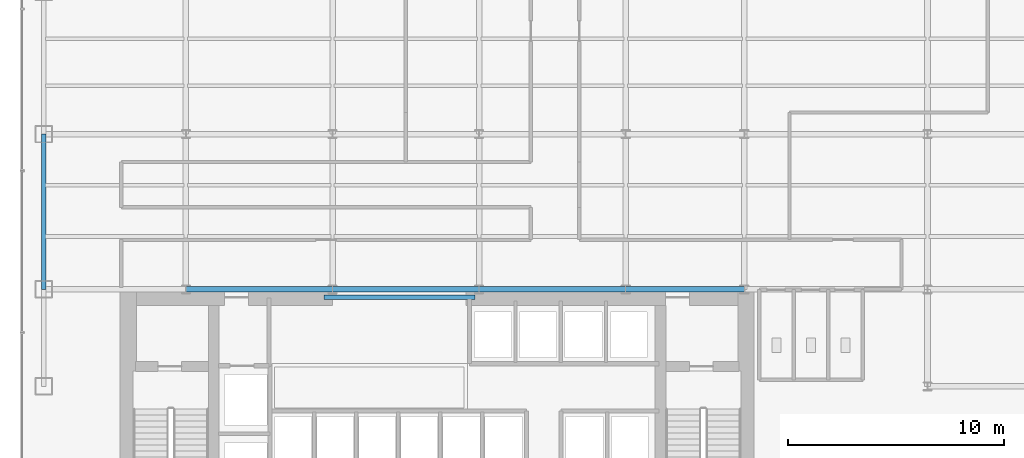
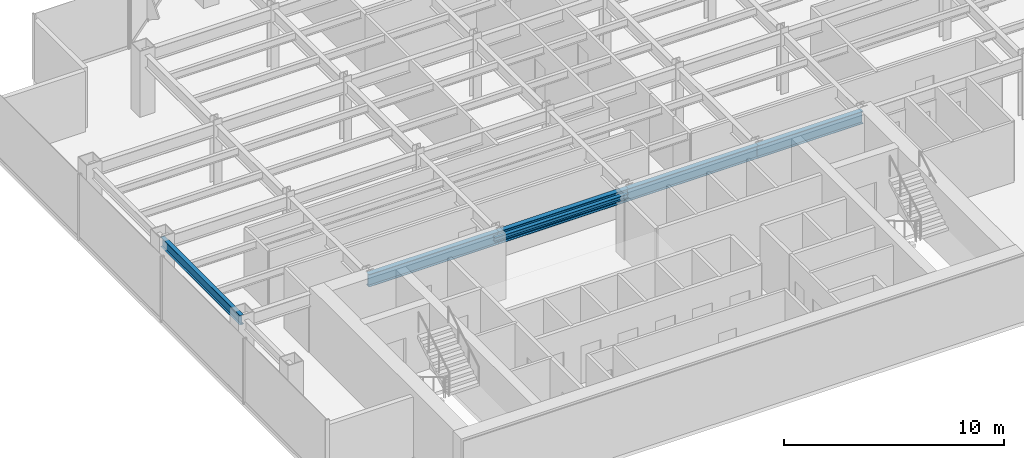
# One storey, part 3 of 26: 6 beams.
"""IFC4 building model written with IfcOpenShell, lengths in metres."""

from ifc_helpers import new_model, si_unit, derived_unit, direction, frame, origin, origin_2d, place, context, subcontext, project, spatial, i_section, extrude, source, transform, mapped, material, material_profile, profile_set, type_object, element, save


model = new_model("IFC4")

# Units and contexts
model_context = context("Model", 3, precision=1e-05, world=origin(), true_north=direction((0.0, 1.0)))
body_context = subcontext(model_context, "Body", "Model", "MODEL_VIEW")
ifc_project = project(units=[si_unit("LENGTHUNIT", "METRE"), si_unit("AREAUNIT", "SQUARE_METRE"), si_unit("VOLUMEUNIT", "CUBIC_METRE"), si_unit("PLANEANGLEUNIT", "RADIAN"), si_unit("MASSUNIT", "GRAM", prefix="KILO"), derived_unit("THERMALTRANSMITTANCEUNIT", [(si_unit("POWERUNIT", "WATT"), 1), (si_unit("LENGTHUNIT", "METRE"), -2), (si_unit("THERMODYNAMICTEMPERATUREUNIT", "KELVIN"), -1)])], contexts=[model_context])

# Site, building, storey
site_placement = place(None, origin())
site = spatial("IfcSite", under=ifc_project, at=site_placement, CompositionType="ELEMENT")
building_placement = place(site_placement, origin())
building = spatial("IfcBuilding", under=site, at=building_placement, Name="Skarnbrae Concourse Arena and Tower", CompositionType="ELEMENT")
storey_placement = place(building_placement, frame((0.0, 0.0, 132.449951171875)))
storey = spatial("IfcBuildingStorey", under=building, at=storey_placement, Name="L33", CompositionType="ELEMENT", Elevation=132.449951171875)

# Beams
ifc_material = material(Name="Steel CSA G40.21 350W", Category="steel")
ifc_material_profile_1 = material_profile(ifc_material, i_section(OverallWidth=0.202880859375, OverallDepth=0.251953125, WebThickness=0.008056640625, FlangeThickness=0.013427734375, at=origin_2d()), Name="W250X58")
ifc_profile_set_1 = profile_set([ifc_material_profile_1], Name="Steel CSA G40.21 350W")
beam_type_1 = type_object("IfcBeamType", Name="BM-LINTEL-W250X58", PredefinedType="LINTEL", material=ifc_profile_set_1)
shared_shape_1 = source(origin(), body_context, "Body", "SweptSolid", [
    extrude(i_section(OverallWidth=0.202880859375, OverallDepth=0.251953125, WebThickness=0.008056640625, FlangeThickness=0.013427734375, at=origin_2d()), origin(), (0.0, 0.0, 1.0), 7.0),
])
beam_1_placement = place(storey_placement, frame((14.0, 13.625, 3.22412109375), z_axis=(1.0, 0.0, 0.0), x_axis=(0.0, 1.0, 0.0)))
element("IfcBeam", 1, at=beam_1_placement, inside=storey, type_object=beam_type_1, Name="L33 Core portal coupling lintel", PredefinedType="LINTEL", context=body_context, shape_type="MappedRepresentation", body=[
    mapped(shared_shape_1, transform((0.0, 0.0, 0.0))),
])
ifc_material_profile_2 = material_profile(ifc_material, i_section(OverallWidth=0.256103515625, OverallDepth=0.693115234375, WebThickness=0.014404296875, FlangeThickness=0.023681640625, at=origin_2d()), Name="W690X170")
ifc_profile_set_2 = profile_set([ifc_material_profile_2], Name="Steel CSA G40.21 350W")
beam_type_2 = type_object("IfcBeamType", Name="BM-GIRD-W690X170", PredefinedType="BEAM", material=ifc_profile_set_2)
shared_shape_2 = source(origin(), body_context, "Body", "SweptSolid", [
    extrude(i_section(OverallWidth=0.256103515625, OverallDepth=0.693115234375, WebThickness=0.014404296875, FlangeThickness=0.023681640625, at=origin_2d()), origin(), (0.0, 0.0, 1.0), 6.7998046875),
])
beam_2_placement = place(storey_placement, frame((7.60009765625, 14.0, 3.003662109375), z_axis=(1.0, 0.0, 0.0), x_axis=(0.0, 1.0, 0.0)))
element("IfcBeam", 2, at=beam_2_placement, inside=storey, type_object=beam_type_2, Name="L33 Primary E-W girder Y14.0-2", PredefinedType="BEAM", context=body_context, shape_type="MappedRepresentation", body=[
    mapped(shared_shape_2, transform((0.0, 0.0, 0.0))),
])
shared_shape_3 = source(origin(), body_context, "Body", "SweptSolid", [
    extrude(i_section(OverallWidth=0.256103515625, OverallDepth=0.693115234375, WebThickness=0.014404296875, FlangeThickness=0.023681640625, at=origin_2d()), origin(), (0.0, 0.0, 1.0), 6.800048828125),
])
for number, where, z_axis, x_axis, name in (
    (3, (14.39990234375, 14.0, 3.003662109375), (1.0, 0.0, 0.0), (0.0, 1.0, 0.0), "L33 Primary E-W girder Y14.0-3"),
    (4, (21.199951171875, 14.0, 3.003662109375), (1.0, 0.0, 0.0), (0.0, 1.0, 0.0), "L33 Primary E-W girder Y14.0-4"),
):
    element("IfcBeam", number, at=place(storey_placement, frame(where, z_axis=z_axis, x_axis=x_axis)), inside=storey, type_object=beam_type_2, Name=name, PredefinedType="BEAM", context=body_context, shape_type="MappedRepresentation", body=[
        mapped(shared_shape_3, transform((0.0, 0.0, 0.0))),
    ])
shared_shape_4 = source(origin(), body_context, "Body", "SweptSolid", [
    extrude(i_section(OverallWidth=0.256103515625, OverallDepth=0.693115234375, WebThickness=0.014404296875, FlangeThickness=0.023681640625, at=origin_2d()), origin(), (0.0, 0.0, 1.0), 5.5),
])
beam_3_placement = place(storey_placement, frame((28.0, 14.0, 3.003662109375), z_axis=(1.0, 0.0, 0.0), x_axis=(0.0, 1.0, 0.0)))
element("IfcBeam", 5, at=beam_3_placement, inside=storey, type_object=beam_type_2, Name="L33 Primary E-W girder Y14.0-5", PredefinedType="BEAM", context=body_context, shape_type="MappedRepresentation", body=[
    mapped(shared_shape_4, transform((0.0, 0.0, 0.0))),
])
ifc_material_profile_3 = material_profile(ifc_material, i_section(OverallWidth=0.208984375, OverallDepth=0.532958984375, WebThickness=0.01025390625, FlangeThickness=0.015625, at=origin_2d()), Name="W530X92")
ifc_profile_set_3 = profile_set([ifc_material_profile_3], Name="Steel CSA G40.21 350W")
beam_type_3 = type_object("IfcBeamType", Name="BM-SPAN-W530X92", PredefinedType="SPANDREL", material=ifc_profile_set_3)
shared_shape_5 = source(origin(), body_context, "Body", "SweptSolid", [
    extrude(i_section(OverallWidth=0.208984375, OverallDepth=0.532958984375, WebThickness=0.01025390625, FlangeThickness=0.015625, at=origin_2d()), origin(), (0.0, 0.0, 1.0), 7.199951171875),
])
beam_4_placement = place(storey_placement, frame((1.0, 14.0, 3.08349609375), z_axis=(0.0, 1.0, 0.0), x_axis=(-1.0, 0.0, 0.0)))
element("IfcBeam", 6, at=beam_4_placement, inside=storey, type_object=beam_type_3, Name="L33 Perimeter spandrel X1.0-2", PredefinedType="SPANDREL", context=body_context, shape_type="MappedRepresentation", body=[
    mapped(shared_shape_5, transform((0.0, 0.0, 0.0))),
])

save(model, "model.ifc")
